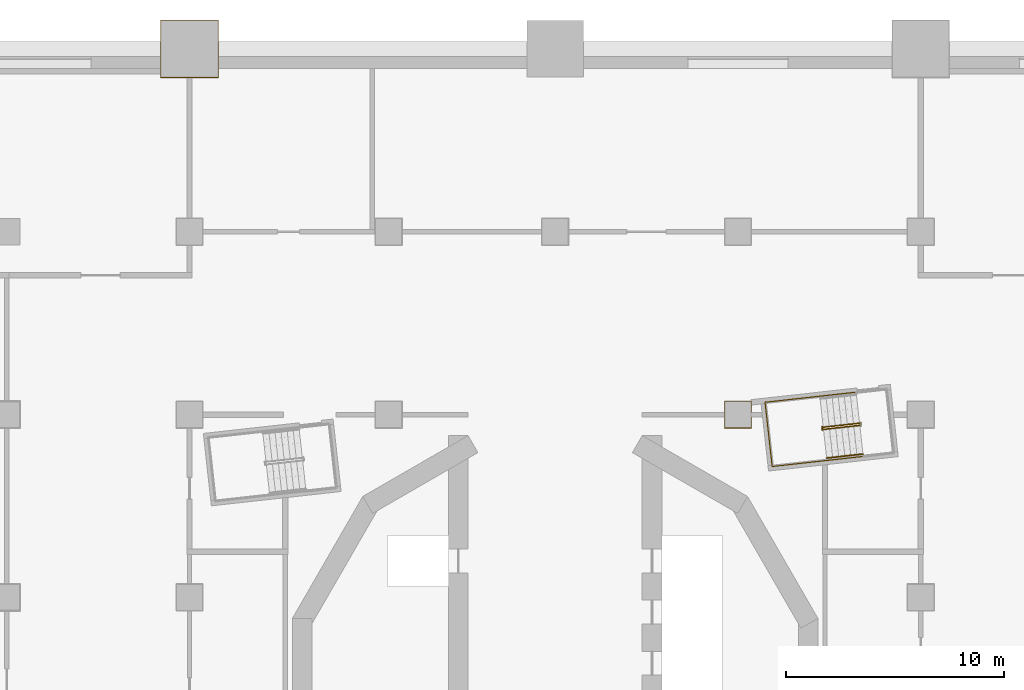
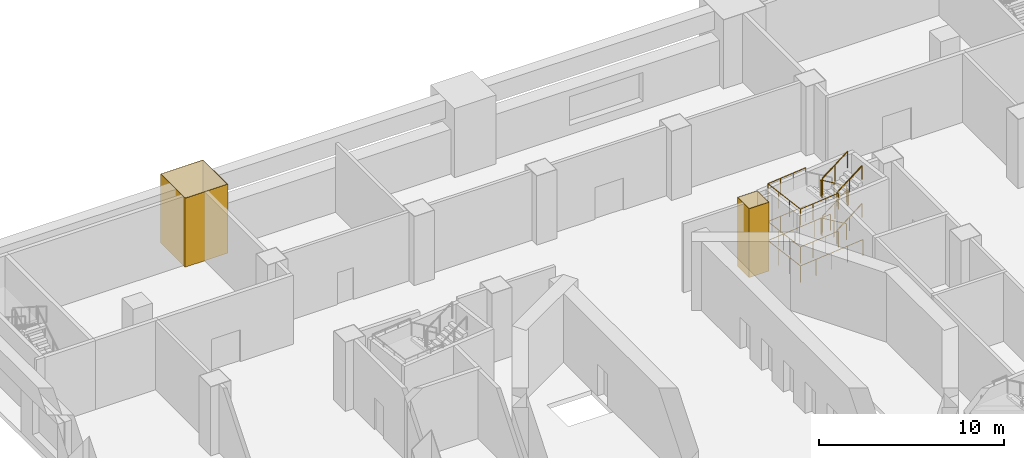
# One storey, part 13 of 17: 9 railings, 2 coverings.
"""IFC4 building model written with IfcOpenShell, lengths in metres."""

from ifc_helpers import new_model, si_unit, direction, frame, origin, origin_2d, place, context, subcontext, project, spatial, polyline, circle, outline, extrude, material, layer, layer_set, type_object, element, save


model = new_model("IFC4")

# Units and contexts
model_context = context("Model", 3, precision=1e-05, world=origin(), true_north=direction((0.0, 1.0)))
body_context = subcontext(model_context, "Body", "Model", "MODEL_VIEW")
ifc_project = project(units=[si_unit("LENGTHUNIT", "METRE"), si_unit("AREAUNIT", "SQUARE_METRE"), si_unit("VOLUMEUNIT", "CUBIC_METRE"), si_unit("PLANEANGLEUNIT", "RADIAN"), si_unit("MASSUNIT", "GRAM", prefix="KILO")], contexts=[model_context])

# Site, building, storey
site_placement = place(None, origin())
site = spatial("IfcSite", under=ifc_project, at=site_placement, CompositionType="ELEMENT")
building_placement = place(site_placement, origin())
building = spatial("IfcBuilding", under=site, at=building_placement, Name="Cantera Rosa Tower", CompositionType="ELEMENT")
storey_placement = place(building_placement, frame((0.0, 0.0, 32.0)))
storey = spatial("IfcBuildingStorey", under=building, at=storey_placement, Name="L05", CompositionType="ELEMENT", Elevation=32.0)

# Coverings
ifc_material_1 = material(Name="Plaster")
ifc_layer = layer(ifc_material_1, 0.030029296875)
ifc_layer_set = layer_set([ifc_layer], Name="Column casing 30")
covering_type = type_object("IfcCoveringType", Name="Column casing 30", PredefinedType="CLADDING", material=ifc_layer_set)
covering_1_placement = place(storey_placement, origin())
element("IfcCovering", 1, at=covering_1_placement, inside=storey, type_object=covering_type, Name="Column casing L05-012", PredefinedType="CLADDING", context=body_context, shape_type="SweptSolid", body=[
    extrude(outline(polyline([(-18.1298828125, 28.070068359375), (-15.469970703125, 28.070068359375), (-15.469970703125, 30.72998046875), (-18.1298828125, 30.72998046875), (-18.1298828125, 28.070068359375)]), holes=[polyline([(-15.5, 30.699951171875), (-18.10009765625, 30.699951171875), (-18.10009765625, 28.10009765625), (-15.5, 28.10009765625), (-15.5, 30.699951171875)])]), origin(), (0.0, 0.0, 1.0), 4.550048828125),
])
covering_2_placement = place(storey_placement, origin())
element("IfcCovering", 2, at=covering_2_placement, inside=storey, type_object=covering_type, Name="Column casing L05-022", PredefinedType="CLADDING", context=body_context, shape_type="SweptSolid", body=[
    extrude(outline(polyline([(7.77001953125, 11.969970703125), (9.030029296875, 11.969970703125), (9.030029296875, 13.22998046875), (7.77001953125, 13.22998046875), (7.77001953125, 11.969970703125)]), holes=[polyline([(9.0, 13.199951171875), (7.800048828125, 13.199951171875), (7.800048828125, 12.0), (9.0, 12.0), (9.0, 13.199951171875)])]), origin(), (0.0, 0.0, 1.0), 4.550048828125),
])

# Railings
ifc_material_2 = material(Name="Steel S355J2 (EN 10025-2)", Category="steel")
railing_type_1 = type_object("IfcRailingType", Name="STAIR GUARD 1100", PredefinedType="GUARDRAIL", material=ifc_material_2)
railing_1_placement = place(storey_placement, frame((13.986083984375, 12.203125, 0.178466796875)))
element("IfcRailing", 3, at=railing_1_placement, inside=storey, type_object=railing_type_1, Name="L05 ST-11 stair guard 1", PredefinedType="GUARDRAIL", context=body_context, shape_type="SweptSolid", body=[
    extrude(circle(Radius=0.02392578125, at=origin_2d()), frame((0.0, 0.0, 1.076171875), z_axis=(-0.837950904326, -0.092996744609, 0.537763784046), x_axis=(0.110303920128, -0.993897904819, 0.0)), (0.0, 0.0, 1.0), 1.99267578125),
    extrude(circle(Radius=0.02392578125, at=origin_2d()), frame((-1.669677734375, -0.185302734375, 2.1474609375), z_axis=(-0.933456941688, 0.358689472963, 0.0), x_axis=(-0.358689472963, -0.933456941688, 0.0)), (0.0, 0.0, 1.0), 0.056396484375),
    extrude(circle(Radius=0.02392578125, at=origin_2d()), frame((-1.722412109375, -0.1650390625, 2.1474609375), z_axis=(0.110789159685, -0.993843932464, 0.0), x_axis=(0.993843932464, 0.110789159685, 0.0)), (0.0, 0.0, 1.0), 0.14990234375),
    extrude(circle(Radius=0.02099609375, at=origin_2d()), origin(), (0.0, 0.0, 1.0), 1.052001953125),
    extrude(circle(Radius=0.02099609375, at=origin_2d()), frame((-0.8349609375, -0.0927734375, 0.53564453125)), (0.0, 0.0, 1.0), 1.052001953125),
    extrude(circle(Radius=0.02099609375, at=origin_2d()), frame((-1.669677734375, -0.185302734375, 1.071533203125)), (0.0, 0.0, 1.0), 1.052001953125),
    extrude(circle(Radius=0.02099609375, at=origin_2d()), frame((-1.722412109375, -0.1650390625, 1.071533203125)), (0.0, 0.0, 1.0), 1.052001953125),
    extrude(circle(Radius=0.02099609375, at=origin_2d()), frame((-1.705810546875, -0.31396484375, 1.071533203125)), (0.0, 0.0, 1.0), 1.052001953125),
])
railing_2_placement = place(storey_placement, frame((12.3271484375, 11.92041015625, 1.428466796875)))
element("IfcRailing", 4, at=railing_2_placement, inside=storey, type_object=railing_type_1, Name="L05 ST-11 stair guard 2", PredefinedType="GUARDRAIL", context=body_context, shape_type="SweptSolid", body=[
    extrude(circle(Radius=0.02392578125, at=origin_2d()), frame((0.0, 0.0, 1.076171875), z_axis=(0.837950904326, 0.092996744609, 0.537763784046), x_axis=(-0.110303920128, 0.993897904819, 0.0)), (0.0, 0.0, 1.0), 1.99267578125),
    extrude(circle(Radius=0.02392578125, at=origin_2d()), frame((1.669677734375, 0.185302734375, 2.1474609375), z_axis=(0.932897555956, -0.360141847183, 0.0), x_axis=(0.360141847183, 0.932897555956, 0.0)), (0.0, 0.0, 1.0), 0.05615234375),
    extrude(circle(Radius=0.02392578125, at=origin_2d()), frame((1.72216796875, 0.1650390625, 2.1474609375), z_axis=(-0.109179471459, 0.994022053584, 0.0), x_axis=(-0.994022053584, -0.109179471459, 0.0)), (0.0, 0.0, 1.0), 0.14990234375),
    extrude(circle(Radius=0.02099609375, at=origin_2d()), origin(), (0.0, 0.0, 1.0), 1.052001953125),
    extrude(circle(Radius=0.02099609375, at=origin_2d()), frame((0.8349609375, 0.0927734375, 0.53564453125)), (0.0, 0.0, 1.0), 1.052001953125),
    extrude(circle(Radius=0.02099609375, at=origin_2d()), frame((1.669677734375, 0.185302734375, 1.071533203125)), (0.0, 0.0, 1.0), 1.052001953125),
    extrude(circle(Radius=0.02099609375, at=origin_2d()), frame((1.72216796875, 0.1650390625, 1.071533203125)), (0.0, 0.0, 1.0), 1.052001953125),
    extrude(circle(Radius=0.02099609375, at=origin_2d()), frame((1.705810546875, 0.31396484375, 1.071533203125)), (0.0, 0.0, 1.0), 1.052001953125),
])
railing_3_placement = place(storey_placement, frame((13.986083984375, 12.203125, 2.678466796875)))
element("IfcRailing", 5, at=railing_3_placement, inside=storey, type_object=railing_type_1, Name="L05 ST-11 stair guard 3", PredefinedType="GUARDRAIL", context=body_context, shape_type="SweptSolid", body=[
    extrude(circle(Radius=0.02392578125, at=origin_2d()), frame((0.0, 0.0, 1.076171875), z_axis=(-0.837950904326, -0.092996744609, 0.537763784046), x_axis=(0.110303920128, -0.993897904819, 0.0)), (0.0, 0.0, 1.0), 1.99267578125),
    extrude(circle(Radius=0.02392578125, at=origin_2d()), frame((-1.669677734375, -0.185302734375, 2.1474609375), z_axis=(-0.933456941688, 0.358689472963, 0.0), x_axis=(-0.358689472963, -0.933456941688, 0.0)), (0.0, 0.0, 1.0), 0.056396484375),
    extrude(circle(Radius=0.02392578125, at=origin_2d()), frame((-1.722412109375, -0.1650390625, 2.1474609375), z_axis=(0.110789159685, -0.993843932464, 0.0), x_axis=(0.993843932464, 0.110789159685, 0.0)), (0.0, 0.0, 1.0), 0.14990234375),
    extrude(circle(Radius=0.02099609375, at=origin_2d()), origin(), (0.0, 0.0, 1.0), 1.052001953125),
    extrude(circle(Radius=0.02099609375, at=origin_2d()), frame((-0.8349609375, -0.0927734375, 0.53564453125)), (0.0, 0.0, 1.0), 1.052001953125),
    extrude(circle(Radius=0.02099609375, at=origin_2d()), frame((-1.669677734375, -0.185302734375, 1.071533203125)), (0.0, 0.0, 1.0), 1.052001953125),
    extrude(circle(Radius=0.02099609375, at=origin_2d()), frame((-1.722412109375, -0.1650390625, 1.071533203125)), (0.0, 0.0, 1.0), 1.052001953125),
    extrude(circle(Radius=0.02099609375, at=origin_2d()), frame((-1.705810546875, -0.31396484375, 1.071533203125)), (0.0, 0.0, 1.0), 1.052001953125),
])
railing_4_placement = place(storey_placement, frame((12.3271484375, 11.92041015625, 3.928466796875)))
element("IfcRailing", 6, at=railing_4_placement, inside=storey, type_object=railing_type_1, Name="L05 ST-11 stair guard 4", PredefinedType="GUARDRAIL", context=body_context, shape_type="SweptSolid", body=[
    extrude(circle(Radius=0.02392578125, at=origin_2d()), frame((0.0, 0.0, 1.076171875), z_axis=(0.837950904326, 0.092996744609, 0.537763784046), x_axis=(-0.110303920128, 0.993897904819, 0.0)), (0.0, 0.0, 1.0), 1.99267578125),
    extrude(circle(Radius=0.02099609375, at=origin_2d()), origin(), (0.0, 0.0, 1.0), 1.052001953125),
    extrude(circle(Radius=0.02099609375, at=origin_2d()), frame((0.8349609375, 0.0927734375, 0.53564453125)), (0.0, 0.0, 1.0), 1.052001953125),
    extrude(circle(Radius=0.02099609375, at=origin_2d()), frame((1.669677734375, 0.185302734375, 1.071533203125)), (0.0, 0.0, 1.0), 1.052001953125),
])
railing_5_placement = place(storey_placement, frame((13.815673828125, 13.629150390625, 0.0)))
element("IfcRailing", 7, at=railing_5_placement, inside=storey, type_object=railing_type_1, Name="L05 ST-11 stair guard 6", PredefinedType="GUARDRAIL", context=body_context, shape_type="SweptSolid", body=[
    extrude(circle(Radius=0.02392578125, at=origin_2d()), frame((0.0, 0.0, 1.076171875), z_axis=(-0.9938957856, -0.110323013767, 0.0), x_axis=(0.110323013767, -0.9938957856, 0.0)), (0.0, 0.0, 1.0), 4.197998046875),
    extrude(circle(Radius=0.02392578125, at=origin_2d()), frame((-4.17236328125, -0.463134765625, 1.076171875), z_axis=(0.110314237986, -0.993896759678, 0.0), x_axis=(0.993896759678, 0.110314237986, 0.0)), (0.0, 0.0, 1.0), 2.969970703125),
    extrude(circle(Radius=0.02392578125, at=origin_2d()), frame((-3.8447265625, -3.4150390625, 1.076171875), z_axis=(0.9938957856, 0.110323013767, 0.0), x_axis=(-0.110323013767, 0.9938957856, 0.0)), (0.0, 0.0, 1.0), 4.197998046875),
    extrude(circle(Radius=0.02099609375, at=origin_2d()), origin(), (0.0, 0.0, 1.0), 1.052001953125),
    extrude(circle(Radius=0.02099609375, at=origin_2d()), frame((-1.04296875, -0.11572265625, 0.0)), (0.0, 0.0, 1.0), 1.052001953125),
    extrude(circle(Radius=0.02099609375, at=origin_2d()), frame((-2.086181640625, -0.2314453125, 0.0)), (0.0, 0.0, 1.0), 1.052001953125),
    extrude(circle(Radius=0.02099609375, at=origin_2d()), frame((-3.12939453125, -0.347412109375, 0.0)), (0.0, 0.0, 1.0), 1.052001953125),
    extrude(circle(Radius=0.02099609375, at=origin_2d()), frame((-4.17236328125, -0.463134765625, 0.0)), (0.0, 0.0, 1.0), 1.052001953125),
    extrude(circle(Radius=0.02099609375, at=origin_2d()), frame((-4.063232421875, -1.447021484375, 0.0)), (0.0, 0.0, 1.0), 1.052001953125),
    extrude(circle(Radius=0.02099609375, at=origin_2d()), frame((-3.953857421875, -2.43115234375, 0.0)), (0.0, 0.0, 1.0), 1.052001953125),
    extrude(circle(Radius=0.02099609375, at=origin_2d()), frame((-3.8447265625, -3.4150390625, 0.0)), (0.0, 0.0, 1.0), 1.052001953125),
    extrude(circle(Radius=0.02099609375, at=origin_2d()), frame((-2.8017578125, -3.29931640625, 0.0)), (0.0, 0.0, 1.0), 1.052001953125),
    extrude(circle(Radius=0.02099609375, at=origin_2d()), frame((-1.758544921875, -3.18359375, 0.0)), (0.0, 0.0, 1.0), 1.052001953125),
    extrude(circle(Radius=0.02099609375, at=origin_2d()), frame((-0.71533203125, -3.067626953125, 0.0)), (0.0, 0.0, 1.0), 1.052001953125),
    extrude(circle(Radius=0.02099609375, at=origin_2d()), frame((0.32763671875, -2.951904296875, 0.0)), (0.0, 0.0, 1.0), 1.052001953125),
])
railing_6_placement = place(storey_placement, frame((12.169921875, 13.4462890625, 1.25)))
element("IfcRailing", 8, at=railing_6_placement, inside=storey, type_object=railing_type_1, Name="L05 ST-11 stair guard 7", PredefinedType="GUARDRAIL", context=body_context, shape_type="SweptSolid", body=[
    extrude(circle(Radius=0.02392578125, at=origin_2d()), frame((0.0, 0.0, 1.076171875), z_axis=(-0.993903628964, -0.110252330278, 0.0), x_axis=(0.110252330278, -0.993903628964, 0.0)), (0.0, 0.0, 1.0), 2.5419921875),
    extrude(circle(Radius=0.02392578125, at=origin_2d()), frame((-2.526611328125, -0.2802734375, 1.076171875), z_axis=(0.110314237986, -0.993896759678, 0.0), x_axis=(0.993896759678, 0.110314237986, 0.0)), (0.0, 0.0, 1.0), 2.969970703125),
    extrude(circle(Radius=0.02392578125, at=origin_2d()), frame((-2.198974609375, -3.232177734375, 1.076171875), z_axis=(0.993903628964, 0.110252330278, 0.0), x_axis=(-0.110252330278, 0.993903628964, 0.0)), (0.0, 0.0, 1.0), 2.5419921875),
    extrude(circle(Radius=0.02099609375, at=origin_2d()), origin(), (0.0, 0.0, 1.0), 1.052001953125),
    extrude(circle(Radius=0.02099609375, at=origin_2d()), frame((-0.84228515625, -0.093505859375, 0.0)), (0.0, 0.0, 1.0), 1.052001953125),
    extrude(circle(Radius=0.02099609375, at=origin_2d()), frame((-1.684326171875, -0.186767578125, 0.0)), (0.0, 0.0, 1.0), 1.052001953125),
    extrude(circle(Radius=0.02099609375, at=origin_2d()), frame((-2.526611328125, -0.2802734375, 0.0)), (0.0, 0.0, 1.0), 1.052001953125),
    extrude(circle(Radius=0.02099609375, at=origin_2d()), frame((-2.41748046875, -1.26416015625, 0.0)), (0.0, 0.0, 1.0), 1.052001953125),
    extrude(circle(Radius=0.02099609375, at=origin_2d()), frame((-2.30810546875, -2.248291015625, 0.0)), (0.0, 0.0, 1.0), 1.052001953125),
    extrude(circle(Radius=0.02099609375, at=origin_2d()), frame((-2.198974609375, -3.232177734375, 0.0)), (0.0, 0.0, 1.0), 1.052001953125),
    extrude(circle(Radius=0.02099609375, at=origin_2d()), frame((-1.356689453125, -3.138671875, 0.0)), (0.0, 0.0, 1.0), 1.052001953125),
    extrude(circle(Radius=0.02099609375, at=origin_2d()), frame((-0.5146484375, -3.04541015625, 0.0)), (0.0, 0.0, 1.0), 1.052001953125),
    extrude(circle(Radius=0.02099609375, at=origin_2d()), frame((0.32763671875, -2.951904296875, 0.0)), (0.0, 0.0, 1.0), 1.052001953125),
])
railing_7_placement = place(storey_placement, frame((12.169921875, 13.4462890625, 3.75)))
element("IfcRailing", 9, at=railing_7_placement, inside=storey, type_object=railing_type_1, Name="L05 ST-11 stair guard 9", PredefinedType="GUARDRAIL", context=body_context, shape_type="SweptSolid", body=[
    extrude(circle(Radius=0.02392578125, at=origin_2d()), frame((0.0, 0.0, 1.076171875), z_axis=(-0.993903628964, -0.110252330278, 0.0), x_axis=(0.110252330278, -0.993903628964, 0.0)), (0.0, 0.0, 1.0), 2.5419921875),
    extrude(circle(Radius=0.02392578125, at=origin_2d()), frame((-2.526611328125, -0.2802734375, 1.076171875), z_axis=(0.110314237986, -0.993896759678, 0.0), x_axis=(0.993896759678, 0.110314237986, 0.0)), (0.0, 0.0, 1.0), 2.969970703125),
    extrude(circle(Radius=0.02392578125, at=origin_2d()), frame((-2.198974609375, -3.232177734375, 1.076171875), z_axis=(0.993903628964, 0.110252330278, 0.0), x_axis=(-0.110252330278, 0.993903628964, 0.0)), (0.0, 0.0, 1.0), 2.5419921875),
    extrude(circle(Radius=0.02099609375, at=origin_2d()), origin(), (0.0, 0.0, 1.0), 1.052001953125),
    extrude(circle(Radius=0.02099609375, at=origin_2d()), frame((-0.84228515625, -0.093505859375, 0.0)), (0.0, 0.0, 1.0), 1.052001953125),
    extrude(circle(Radius=0.02099609375, at=origin_2d()), frame((-1.684326171875, -0.186767578125, 0.0)), (0.0, 0.0, 1.0), 1.052001953125),
    extrude(circle(Radius=0.02099609375, at=origin_2d()), frame((-2.526611328125, -0.2802734375, 0.0)), (0.0, 0.0, 1.0), 1.052001953125),
    extrude(circle(Radius=0.02099609375, at=origin_2d()), frame((-2.41748046875, -1.26416015625, 0.0)), (0.0, 0.0, 1.0), 1.052001953125),
    extrude(circle(Radius=0.02099609375, at=origin_2d()), frame((-2.30810546875, -2.248291015625, 0.0)), (0.0, 0.0, 1.0), 1.052001953125),
    extrude(circle(Radius=0.02099609375, at=origin_2d()), frame((-2.198974609375, -3.232177734375, 0.0)), (0.0, 0.0, 1.0), 1.052001953125),
    extrude(circle(Radius=0.02099609375, at=origin_2d()), frame((-1.356689453125, -3.138671875, 0.0)), (0.0, 0.0, 1.0), 1.052001953125),
    extrude(circle(Radius=0.02099609375, at=origin_2d()), frame((-0.5146484375, -3.04541015625, 0.0)), (0.0, 0.0, 1.0), 1.052001953125),
    extrude(circle(Radius=0.02099609375, at=origin_2d()), frame((0.32763671875, -2.951904296875, 0.0)), (0.0, 0.0, 1.0), 1.052001953125),
])
ifc_material_3 = material(Name="Steel S355J2 (EN 10025-2)", Category="steel")
railing_type_2 = type_object("IfcRailingType", Name="STAIR HANDRAIL 900", PredefinedType="HANDRAIL", material=ifc_material_3)
for number, where, name in (
    (10, (12.473388671875, 10.6025390625, 1.428466796875), "L05 ST-11 stair handrail 2"),
    (11, (12.473388671875, 10.6025390625, 3.928466796875), "L05 ST-11 stair handrail 4"),
):
    element("IfcRailing", number, at=place(storey_placement, frame(where)), inside=storey, type_object=railing_type_2, Name=name, PredefinedType="HANDRAIL", context=body_context, shape_type="SweptSolid", body=[
        extrude(circle(Radius=0.02392578125, at=origin_2d()), frame((0.0, 0.0, 0.8759765625), z_axis=(0.837950904326, 0.092996744609, 0.537763784046), x_axis=(-0.110303920128, 0.993897904819, 0.0)), (0.0, 0.0, 1.0), 1.99267578125),
        extrude(circle(Radius=0.02099609375, at=origin_2d()), origin(), (0.0, 0.0, 1.0), 0.851806640625),
        extrude(circle(Radius=0.02099609375, at=origin_2d()), frame((0.8349609375, 0.0927734375, 0.53564453125)), (0.0, 0.0, 1.0), 0.851806640625),
        extrude(circle(Radius=0.02099609375, at=origin_2d()), frame((1.669677734375, 0.185302734375, 1.071533203125)), (0.0, 0.0, 1.0), 0.851806640625),
    ])

save(model, "model.ifc")
